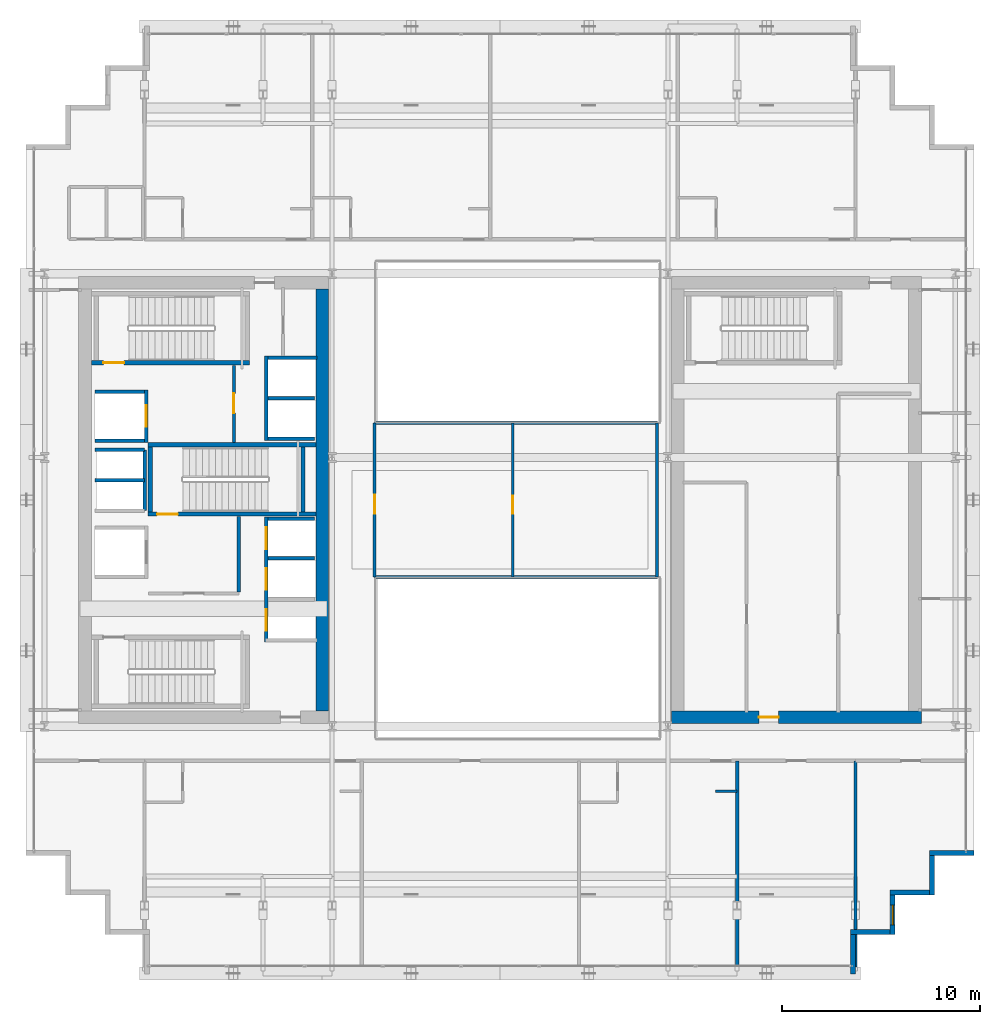
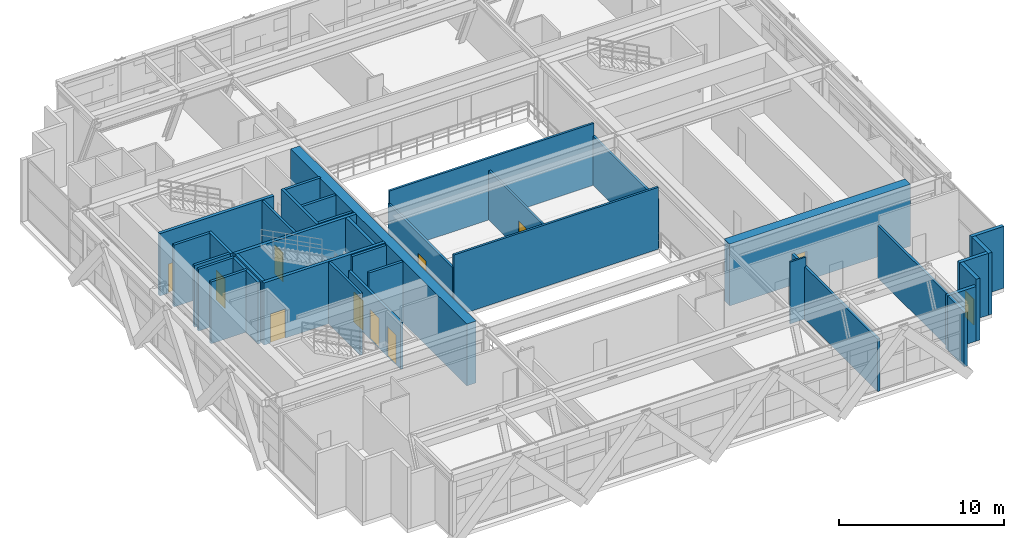
# One storey, part 29 of 35: 36 walls, 10 doors, 1 window, 11 openings.
"""IFC4 building model written with IfcOpenShell, lengths in metres."""

from ifc_helpers import new_model, si_unit, direction, frame, frame_2d, origin, place, context, subcontext, project, spatial, rectangle, extrude, source, transform, mapped, material, layer, layer_set, type_object, element, fill, save


model = new_model("IFC4")

# Units and contexts
model_context = context("Model", 3, precision=1e-05, world=origin(), true_north=direction((0.0, 1.0)))
body_context = subcontext(model_context, "Body", "Model", "MODEL_VIEW")
ifc_project = project(units=[si_unit("LENGTHUNIT", "METRE"), si_unit("AREAUNIT", "SQUARE_METRE"), si_unit("VOLUMEUNIT", "CUBIC_METRE"), si_unit("PLANEANGLEUNIT", "RADIAN"), si_unit("MASSUNIT", "GRAM", prefix="KILO")], contexts=[model_context])

# Site, building, storey
site_placement = place(None, origin())
site = spatial("IfcSite", under=ifc_project, at=site_placement, CompositionType="ELEMENT")
building_placement = place(site_placement, origin())
building = spatial("IfcBuilding", under=site, at=building_placement, Name="Ocotamira Hotel", CompositionType="ELEMENT")
storey_placement = place(building_placement, frame((0.0, 0.0, 158.39990234375)))
storey = spatial("IfcBuildingStorey", under=building, at=storey_placement, Name="L39", CompositionType="ELEMENT", Elevation=158.39990234375)

# Wall
ifc_material_1 = material(Name="Concrete C60/75", Category="concrete")
ifc_layer_1 = layer(ifc_material_1, 0.64990234375)
ifc_layer_set_1 = layer_set([ifc_layer_1], Name="Concrete C60/75")
wall_type_1 = type_object("IfcWallType", Name="WL-CORE-650", PredefinedType="SHEAR", material=ifc_layer_set_1)
wall_1_placement = place(storey_placement, frame((23.0, 15.324951171875, 0.0), z_axis=(0.0, 0.0, 1.0), x_axis=(0.0, 1.0, 0.0)))
element("IfcWall", 1, at=wall_1_placement, inside=storey, type_object=wall_type_1, Name="L39 Shear Core Wall WCORE-E", PredefinedType="SHEAR", context=body_context, shape_type="SweptSolid", body=[
    extrude(rectangle(XDim=21.35009765625, YDim=0.64990234375, at=frame_2d((10.675048828125, 0.0))), origin(), (0.0, 0.0, 1.0), 4.570068359375),
])

# Wall, opening, door
wall_2_placement = place(storey_placement, frame((40.675048828125, 15.0, 0.0), z_axis=(0.0, 0.0, 1.0), x_axis=(1.0, 0.0, 0.0)))
wall_2 = element("IfcWall", 2, at=wall_2_placement, inside=storey, type_object=wall_type_1, Name="L39 Shear Core Wall ECORE-S", PredefinedType="SHEAR", context=body_context, shape_type="SweptSolid", body=[
    extrude(rectangle(XDim=12.64990234375, YDim=0.64990234375, at=frame_2d((6.324951171875, 0.0))), origin(), (0.0, 0.0, 1.0), 4.570068359375),
])
opening_1_placement = place(wall_2_placement, frame((4.425048828125, 0.0, 0.0)))
opening_1 = element("IfcOpeningElement", 3, at=opening_1_placement, cuts=wall_2, Name="Opening D-FR2", PredefinedType="OPENING", context=body_context, shape_type="SweptSolid", body=[
    extrude(rectangle(XDim=1.0, YDim=2.14990234375, at=frame_2d((0.5, 1.074951171875))), frame((0.0, 0.3349609375, 0.0), z_axis=(0.0, -1.0, 0.0), x_axis=(1.0, 0.0, 0.0)), (0.0, 0.0, 1.0), 0.669921875),
])
ifc_material_2 = material(Name="Fire-rated acoustic timber-veneer door", Category="wood")
door_type_1 = type_object("IfcDoorType", Name="DR-FIRE-1000", OperationType="NOTDEFINED", PredefinedType="DOOR", material=ifc_material_2)
shared_shape_1 = source(origin(), body_context, "Body", "SweptSolid", [
    extrude(rectangle(XDim=1.0, YDim=2.14990234375, at=frame_2d((0.5, 1.074951171875))), frame((0.0, 0.02490234375, 0.0), z_axis=(0.0, -1.0, 0.0), x_axis=(1.0, 0.0, 0.0)), (0.0, 0.0, 1.0), 0.050048828125),
])
door_1_placement = place(opening_1_placement, origin())
door_1 = element("IfcDoor", 4, at=door_1_placement, inside=storey, type_object=door_type_1, Name="L39 Door ID-L39-ELOB-S-D [ID-L39-ELOB-S-D]", OperationType="SINGLE_SWING_RIGHT", OverallHeight=2.14990234375, OverallWidth=1.0, PredefinedType="DOOR", context=body_context, shape_type="MappedRepresentation", body=[
    mapped(shared_shape_1, transform((0.0, 0.0, 0.0), scale=1.0)),
])
fill(opening_1, door_1)

# Walls
ifc_material_3 = material(Name="Precast concrete C45/55", Category="concrete")
ifc_layer_2 = layer(ifc_material_3, 0.25)
ifc_layer_set_2 = layer_set([ifc_layer_2], Name="Precast concrete C45/55")
wall_type_2 = type_object("IfcWallType", Name="WL-EXT-SER-250", PredefinedType="SOLIDWALL", material=ifc_layer_set_2)
for number, where, z_axis, x_axis, name in (
    (5, (49.875, 2.0, 0.0), (0.0, 0.0, 1.0), (0.0, 1.0, 0.0), "L39 Serrated Corner Wall 01"),
    (6, (49.75, 4.125, 0.0), (0.0, 0.0, 1.0), (1.0, 0.0, 0.0), "L39 Serrated Corner Wall 02"),
):
    element("IfcWall", number, at=place(storey_placement, frame(where, z_axis=z_axis, x_axis=x_axis)), inside=storey, type_object=wall_type_2, Name=name, PredefinedType="SOLIDWALL", context=body_context, shape_type="SweptSolid", body=[
        extrude(rectangle(XDim=2.0, YDim=0.25, at=frame_2d((1.0, 0.0))), origin(), (0.0, 0.0, 1.0), 4.033203125),
    ])

# Wall, opening, window
wall_3_placement = place(storey_placement, frame((51.875, 4.0, 0.0), z_axis=(0.0, 0.0, 1.0), x_axis=(0.0, 1.0, 0.0)))
wall_3 = element("IfcWall", 7, at=wall_3_placement, inside=storey, type_object=wall_type_2, Name="L39 Serrated Corner Wall 03", PredefinedType="SOLIDWALL", context=body_context, shape_type="SweptSolid", body=[
    extrude(rectangle(XDim=2.0, YDim=0.25, at=frame_2d((1.0, 0.0))), origin(), (0.0, 0.0, 1.0), 4.570068359375),
])
opening_2_placement = place(wall_3_placement, frame((0.5, 0.0, 0.85009765625)))
opening_2 = element("IfcOpeningElement", 8, at=opening_2_placement, cuts=wall_3, Name="Opening WN-2", PredefinedType="OPENING", context=body_context, shape_type="SweptSolid", body=[
    extrude(rectangle(XDim=1.0, YDim=1.89990234375, at=frame_2d((0.5, 0.949951171875))), frame((0.0, 0.135009765625, 0.0), z_axis=(0.0, -1.0, 0.0), x_axis=(1.0, 0.0, 0.0)), (0.0, 0.0, 1.0), 0.27001953125),
])
ifc_material_4 = material(Name="Double-silver low-E solar glass", Category="glass")
window_type = type_object("IfcWindowType", Name="WIN-SER-1100", PartitioningType="SINGLE_PANEL", PredefinedType="WINDOW", material=ifc_material_4)
shared_shape_2 = source(origin(), body_context, "Body", "SweptSolid", [
    extrude(rectangle(XDim=1.0, YDim=1.89990234375, at=frame_2d((0.5, 0.949951171875))), frame((0.0, 0.030029296875, 0.0), z_axis=(0.0, -1.0, 0.0), x_axis=(1.0, 0.0, 0.0)), (0.0, 0.0, 1.0), 0.06005859375),
])
window_placement = place(opening_2_placement, origin())
window = element("IfcWindow", 9, at=window_placement, inside=storey, type_object=window_type, Name="L39 Serrated Corner Window 03", OverallHeight=1.89990234375, OverallWidth=1.0, PartitioningType="SINGLE_PANEL", PredefinedType="WINDOW", context=body_context, shape_type="MappedRepresentation", body=[
    mapped(shared_shape_2, transform((0.0, 0.0, 0.0), scale=1.0)),
])
fill(opening_2, window)

# Walls
for number, where, z_axis, x_axis, name in (
    (10, (51.75, 6.125, 0.0), (0.0, 0.0, 1.0), (1.0, 0.0, 0.0), "L39 Serrated Corner Wall 04"),
    (11, (53.875, 6.0, 0.0), (0.0, 0.0, 1.0), (0.0, 1.0, 0.0), "L39 Serrated Corner Wall 05"),
):
    element("IfcWall", number, at=place(storey_placement, frame(where, z_axis=z_axis, x_axis=x_axis)), inside=storey, type_object=wall_type_2, Name=name, PredefinedType="SOLIDWALL", context=body_context, shape_type="SweptSolid", body=[
        extrude(rectangle(XDim=2.0, YDim=0.25, at=frame_2d((1.0, 0.0))), origin(), (0.0, 0.0, 1.0), 4.570068359375),
    ])
wall_4_placement = place(storey_placement, frame((53.75, 8.125, 0.0), z_axis=(0.0, 0.0, 1.0), x_axis=(1.0, 0.0, 0.0)))
element("IfcWall", 12, at=wall_4_placement, inside=storey, type_object=wall_type_2, Name="L39 Serrated Corner Wall 06", PredefinedType="SOLIDWALL", context=body_context, shape_type="SweptSolid", body=[
    extrude(rectangle(XDim=2.25, YDim=0.25, at=frame_2d((1.125, 0.0))), origin(), (0.0, 0.0, 1.0), 4.570068359375),
])
ifc_material_5 = material(Name="Acoustic double-layer fire gypsum board partition", Category="gypsum")
ifc_layer_3 = layer(ifc_material_5, 0.159912109375)
ifc_layer_set_3 = layer_set([ifc_layer_3], Name="Acoustic double-layer fire gypsum board partition")
wall_type_3 = type_object("IfcWallType", Name="WL-FIRE-160", PredefinedType="PARTITIONING", material=ifc_layer_set_3)
wall_5_placement = place(storey_placement, frame((18.780029296875, 21.35009765625, 0.0), z_axis=(0.0, 0.0, 1.0), x_axis=(0.0, 1.0, 0.0)))
element("IfcWall", 13, at=wall_5_placement, inside=storey, type_object=wall_type_3, Name="L39 Interior Wall PW-L39-FSAE1-E", PredefinedType="PARTITIONING", context=body_context, shape_type="SweptSolid", body=[
    extrude(rectangle(XDim=3.809814453125, YDim=0.159912109375, at=frame_2d((1.90478515625, 0.0))), origin(), (0.0, 0.0, 1.0), 4.570068359375),
])

# Wall, opening, door
wall_6_placement = place(storey_placement, frame((18.530029296875, 28.89990234375, 0.0), z_axis=(0.0, 0.0, 1.0), x_axis=(0.0, 1.0, 0.0)))
wall_6 = element("IfcWall", 14, at=wall_6_placement, inside=storey, type_object=wall_type_3, Name="L39 Interior Wall PW-L39-FSAE2-E", PredefinedType="PARTITIONING", context=body_context, shape_type="SweptSolid", body=[
    extrude(rectangle(XDim=3.900146484375, YDim=0.159912109375, at=frame_2d((1.9501953125, 0.0))), origin(), (0.0, 0.0, 1.0), 4.570068359375),
])
opening_3_placement = place(wall_6_placement, frame((1.5, 0.0, 0.0)))
opening_3 = element("IfcOpeningElement", 15, at=opening_3_placement, cuts=wall_6, Name="Opening D-FR2", PredefinedType="OPENING", context=body_context, shape_type="SweptSolid", body=[
    extrude(rectangle(XDim=1.0, YDim=2.14990234375, at=frame_2d((0.5, 1.074951171875))), frame((0.0, 0.08984375, 0.0), z_axis=(0.0, -1.0, 0.0), x_axis=(1.0, 0.0, 0.0)), (0.0, 0.0, 1.0), 0.179931640625),
])
door_2_placement = place(opening_3_placement, origin())
door_2 = element("IfcDoor", 16, at=door_2_placement, inside=storey, type_object=door_type_1, Name="L39 Door ID-L39-FSAE2-D [ID-L39-FSAE2-D]", OperationType="SINGLE_SWING_RIGHT", OverallHeight=2.14990234375, OverallWidth=1.0, PredefinedType="DOOR", context=body_context, shape_type="MappedRepresentation", body=[
    mapped(shared_shape_1, transform((0.0, 0.0, 0.0), scale=1.0)),
])
fill(opening_3, door_2)

# Wall
ifc_material_6 = material(Name="Moisture-resistant en-suite tile and gypsum partition", Category="gypsum")
ifc_layer_4 = layer(ifc_material_6, 0.1201171875)
ifc_layer_set_4 = layer_set([ifc_layer_4], Name="Moisture-resistant en-suite tile and gypsum partition")
wall_type_4 = type_object("IfcWallType", Name="WL-PART-120", PredefinedType="PARTITIONING", material=ifc_layer_set_4)
wall_7_placement = place(storey_placement, frame((42.89990234375, 11.25, 0.0), z_axis=(0.0, 0.0, 1.0), x_axis=(1.0, 0.0, 0.0)))
element("IfcWall", 17, at=wall_7_placement, inside=storey, type_object=wall_type_4, Name="L39 Interior Wall PW-L39-L39S-DRN3", PredefinedType="PARTITIONING", context=body_context, shape_type="SweptSolid", body=[
    extrude(rectangle(XDim=1.10009765625, YDim=0.1201171875, at=frame_2d((0.550048828125, 0.0))), origin(), (0.0, 0.0, 1.0), 4.570068359375),
])

# Wall, opening, door
ifc_material_7 = material(Name="Acoustic hospitality gypsum board partition", Category="gypsum")
ifc_layer_5 = layer(ifc_material_7, 0.14208984375)
ifc_layer_set_5 = layer_set([ifc_layer_5], Name="Acoustic hospitality gypsum board partition")
wall_type_5 = type_object("IfcWallType", Name="WL-PART-142", PredefinedType="PARTITIONING", material=ifc_layer_set_5)
wall_8_placement = place(storey_placement, frame((32.64990234375, 22.10009765625, 0.0), z_axis=(0.0, 0.0, 1.0), x_axis=(0.0, 1.0, 0.0)))
wall_8 = element("IfcWall", 18, at=wall_8_placement, inside=storey, type_object=wall_type_5, Name="L39 Interior Wall PW-L39-SKY39-BRDIV", PredefinedType="PARTITIONING", context=body_context, shape_type="SweptSolid", body=[
    extrude(rectangle(XDim=7.7998046875, YDim=0.14208984375, at=frame_2d((3.89990234375, 0.0))), origin(), (0.0, 0.0, 1.0), 3.64306640625),
])
opening_4_placement = place(wall_8_placement, frame((3.199951171875, 0.0, 0.0)))
opening_4 = element("IfcOpeningElement", 19, at=opening_4_placement, cuts=wall_8, Name="Opening D-SV3", PredefinedType="OPENING", context=body_context, shape_type="SweptSolid", body=[
    extrude(rectangle(XDim=0.919921875, YDim=2.14990234375, at=frame_2d((0.4599609375, 1.074951171875))), frame((0.0, 0.0810546875, 0.0), z_axis=(0.0, -1.0, 0.0), x_axis=(1.0, 0.0, 0.0)), (0.0, 0.0, 1.0), 0.162109375),
])
ifc_material_8 = material(Name="Fire-rated walnut hospitality door", Category="wood")
door_type_2 = type_object("IfcDoorType", Name="DR-SERV-920", OperationType="NOTDEFINED", PredefinedType="DOOR", material=ifc_material_8)
shared_shape_3 = source(origin(), body_context, "Body", "SweptSolid", [
    extrude(rectangle(XDim=0.919921875, YDim=2.14990234375, at=frame_2d((0.4599609375, 1.074951171875))), frame((0.0, 0.02490234375, 0.0), z_axis=(0.0, -1.0, 0.0), x_axis=(1.0, 0.0, 0.0)), (0.0, 0.0, 1.0), 0.050048828125),
])
door_3_placement = place(opening_4_placement, origin())
door_3 = element("IfcDoor", 20, at=door_3_placement, inside=storey, type_object=door_type_2, Name="L39 Door ID-L39-L39-BRD2 [ID-L39-L39-BRD2]", OperationType="SINGLE_SWING_LEFT", OverallHeight=2.14990234375, OverallWidth=0.919921875, PredefinedType="DOOR", context=body_context, shape_type="MappedRepresentation", body=[
    mapped(shared_shape_3, transform((0.0, 0.0, 0.0), scale=1.0)),
])
fill(opening_4, door_3)

ifc_layer_6 = layer(ifc_material_7, 0.14990234375)
ifc_layer_set_6 = layer_set([ifc_layer_6], Name="Acoustic hospitality gypsum board partition")
wall_type_6 = type_object("IfcWallType", Name="WL-PART-150", PredefinedType="PARTITIONING", material=ifc_layer_set_6)
wall_9_placement = place(storey_placement, frame((25.64990234375, 22.10009765625, 0.0), z_axis=(0.0, 0.0, 1.0), x_axis=(0.0, 1.0, 0.0)))
wall_9 = element("IfcWall", 21, at=wall_9_placement, inside=storey, type_object=wall_type_6, Name="L39 Interior Wall PW-L39-L39-BRW", PredefinedType="PARTITIONING", context=body_context, shape_type="SweptSolid", body=[
    extrude(rectangle(XDim=7.7998046875, YDim=0.14990234375, at=frame_2d((3.89990234375, 0.0))), origin(), (0.0, 0.0, 1.0), 3.64306640625),
])
opening_5_placement = place(wall_9_placement, frame((3.199951171875, 0.0, 0.0)))
opening_5 = element("IfcOpeningElement", 22, at=opening_5_placement, cuts=wall_9, Name="Opening D-SV4", PredefinedType="OPENING", context=body_context, shape_type="SweptSolid", body=[
    extrude(rectangle(XDim=0.9599609375, YDim=2.14990234375, at=frame_2d((0.47998046875, 1.074951171875))), frame((0.0, 0.0849609375, 0.0), z_axis=(0.0, -1.0, 0.0), x_axis=(1.0, 0.0, 0.0)), (0.0, 0.0, 1.0), 0.169921875),
])
ifc_material_9 = material(Name="Fire-rated accessible walnut salon door", Category="wood")
door_type_3 = type_object("IfcDoorType", Name="DR-SERV-960", OperationType="NOTDEFINED", PredefinedType="DOOR", material=ifc_material_9)
shared_shape_4 = source(origin(), body_context, "Body", "SweptSolid", [
    extrude(rectangle(XDim=0.9599609375, YDim=2.14990234375, at=frame_2d((0.47998046875, 1.074951171875))), frame((0.0, 0.02490234375, 0.0), z_axis=(0.0, -1.0, 0.0), x_axis=(1.0, 0.0, 0.0)), (0.0, 0.0, 1.0), 0.050048828125),
])
door_4_placement = place(opening_5_placement, origin())
door_4 = element("IfcDoor", 23, at=door_4_placement, inside=storey, type_object=door_type_3, Name="L39 Door ID-L39-L39-BRD1 [ID-L39-L39-BRD1]", OperationType="SINGLE_SWING_RIGHT", OverallHeight=2.14990234375, OverallWidth=0.9599609375, PredefinedType="DOOR", context=body_context, shape_type="MappedRepresentation", body=[
    mapped(shared_shape_4, transform((0.0, 0.0, 0.0), scale=1.0)),
])
fill(opening_5, door_4)

# Walls
for number, where, z_axis, x_axis, name in (
    (24, (25.64990234375, 22.10009765625, 0.0), (0.0, 0.0, 1.0), (1.0, 0.0, 0.0), "L39 Interior Wall PW-L39-L39-BRS"),
    (25, (25.64990234375, 29.89990234375, 0.0), (0.0, 0.0, 1.0), (1.0, 0.0, 0.0), "L39 Interior Wall PW-L39-L39-BRN"),
):
    element("IfcWall", number, at=place(storey_placement, frame(where, z_axis=z_axis, x_axis=x_axis)), inside=storey, type_object=wall_type_6, Name=name, PredefinedType="PARTITIONING", context=body_context, shape_type="SweptSolid", body=[
        extrude(rectangle(XDim=14.300048828125, YDim=0.14990234375, at=frame_2d((7.14990234375, 0.0))), origin(), (0.0, 0.0, 1.0), 4.570068359375),
    ])
wall_10_placement = place(storey_placement, frame((39.949951171875, 22.10009765625, 0.0), z_axis=(0.0, 0.0, 1.0), x_axis=(0.0, 1.0, 0.0)))
element("IfcWall", 26, at=wall_10_placement, inside=storey, type_object=wall_type_6, Name="L39 Interior Wall PW-L39-L39-BRE", PredefinedType="PARTITIONING", context=body_context, shape_type="SweptSolid", body=[
    extrude(rectangle(XDim=7.7998046875, YDim=0.14990234375, at=frame_2d((3.89990234375, 0.0))), origin(), (0.0, 0.0, 1.0), 3.64306640625),
])
ifc_material_10 = material(Name="Acoustic double-stud hospitality gypsum partition", Category="gypsum")
ifc_layer_7 = layer(ifc_material_10, 0.159912109375)
ifc_layer_set_7 = layer_set([ifc_layer_7], Name="Acoustic double-stud hospitality gypsum partition")
wall_type_7 = type_object("IfcWallType", Name="WL-PART-160", PredefinedType="PARTITIONING", material=ifc_layer_set_7)
wall_11_placement = place(storey_placement, frame((50.0, 2.360107421875, 0.0), z_axis=(0.0, 0.0, 1.0), x_axis=(0.0, 1.0, 0.0)))
element("IfcWall", 27, at=wall_11_placement, inside=storey, type_object=wall_type_7, Name="L39 Interior Wall PW-L39-L39S-PWEND", PredefinedType="PARTITIONING", context=body_context, shape_type="SweptSolid", body=[
    extrude(rectangle(XDim=10.43994140625, YDim=0.159912109375, at=frame_2d((5.219970703125, 0.0))), origin(), (0.0, 0.0, 1.0), 3.877197265625),
])
ifc_material_11 = material(Name="Double-stud suite party gypsum partition", Category="gypsum")
ifc_layer_8 = layer(ifc_material_11, 0.175048828125)
ifc_layer_set_8 = layer_set([ifc_layer_8], Name="Double-stud suite party gypsum partition")
wall_type_8 = type_object("IfcWallType", Name="WL-PART-175", PredefinedType="PARTITIONING", material=ifc_layer_set_8)
wall_12_placement = place(storey_placement, frame((44.0, 2.360107421875, 0.0), z_axis=(0.0, 0.0, 1.0), x_axis=(0.0, 1.0, 0.0)))
element("IfcWall", 28, at=wall_12_placement, inside=storey, type_object=wall_type_8, Name="L39 Interior Wall PW-L39-L39S-PW3", PredefinedType="PARTITIONING", context=body_context, shape_type="SweptSolid", body=[
    extrude(rectangle(XDim=10.43994140625, YDim=0.175048828125, at=frame_2d((5.219970703125, 0.0))), origin(), (0.0, 0.0, 1.0), 3.877197265625),
])

# Wall, openings, doors
ifc_material_12 = material(Name="Fire-rated gypsum shaftliner board assembly", Category="gypsum")
ifc_layer_9 = layer(ifc_material_12, 0.179931640625)
ifc_layer_set_9 = layer_set([ifc_layer_9], Name="Fire-rated gypsum shaftliner board assembly")
wall_type_9 = type_object("IfcWallType", Name="WL-SHAFT-180", PredefinedType="SOLIDWALL", material=ifc_layer_set_9)
wall_13_placement = place(storey_placement, frame((20.159912109375, 18.820068359375, 0.0), z_axis=(0.0, 0.0, 1.0), x_axis=(0.0, 1.0, 0.0)))
wall_13 = element("IfcWall", 29, at=wall_13_placement, inside=storey, type_object=wall_type_9, Name="L39 Interior Wall PW-L39-LFW-BANK-high-F", PredefinedType="SOLIDWALL", context=body_context, shape_type="SweptSolid", body=[
    extrude(rectangle(XDim=6.31982421875, YDim=0.179931640625, at=frame_2d((3.159912109375, 0.0))), origin(), (0.0, 0.0, 1.0), 3.47021484375),
])
opening_6_placement = place(wall_13_placement, frame((0.554931640625, 0.0, 0.0)))
opening_6 = element("IfcOpeningElement", 30, at=opening_6_placement, cuts=wall_13, Name="Opening LD-LF-P7", PredefinedType="OPENING", context=body_context, shape_type="SweptSolid", body=[
    extrude(rectangle(XDim=1.10009765625, YDim=2.199951171875, at=frame_2d((0.550048828125, 1.10009765625))), frame((0.0, 0.10009765625, 0.0), z_axis=(0.0, -1.0, 0.0), x_axis=(1.0, 0.0, 0.0)), (0.0, 0.0, 1.0), 0.199951171875),
])
opening_7_placement = place(wall_13_placement, frame((2.635009765625, 0.0, 0.0)))
opening_7 = element("IfcOpeningElement", 31, at=opening_7_placement, cuts=wall_13, Name="Opening LD-LF-P8", PredefinedType="OPENING", context=body_context, shape_type="SweptSolid", body=[
    extrude(rectangle(XDim=1.10009765625, YDim=2.199951171875, at=frame_2d((0.550048828125, 1.10009765625))), frame((0.0, 0.10009765625, 0.0), z_axis=(0.0, -1.0, 0.0), x_axis=(1.0, 0.0, 0.0)), (0.0, 0.0, 1.0), 0.199951171875),
])
opening_8_placement = place(wall_13_placement, frame((4.68994140625, 0.0, 0.0)))
opening_8 = element("IfcOpeningElement", 32, at=opening_8_placement, cuts=wall_13, Name="Opening LD-LF-P9", PredefinedType="OPENING", context=body_context, shape_type="SweptSolid", body=[
    extrude(rectangle(XDim=1.10009765625, YDim=2.199951171875, at=frame_2d((0.550048828125, 1.10009765625))), frame((0.0, 0.10009765625, 0.0), z_axis=(0.0, -1.0, 0.0), x_axis=(1.0, 0.0, 0.0)), (0.0, 0.0, 1.0), 0.199951171875),
])
ifc_material_13 = material(Name="Brushed pale-metal stainless elevator landing door", Category="steel")
door_type_4 = type_object("IfcDoorType", Name="DR-LIFT-1100", OperationType="NOTDEFINED", PredefinedType="DOOR", material=ifc_material_13)
shared_shape_5 = source(origin(), body_context, "Body", "SweptSolid", [
    extrude(rectangle(XDim=1.10009765625, YDim=2.199951171875, at=frame_2d((0.550048828125, 1.10009765625))), frame((0.0, 0.02490234375, 0.0), z_axis=(0.0, -1.0, 0.0), x_axis=(1.0, 0.0, 0.0)), (0.0, 0.0, 1.0), 0.050048828125),
])
door_5_placement = place(opening_6_placement, origin())
door_5 = element("IfcDoor", 33, at=door_5_placement, inside=storey, type_object=door_type_4, Name="L39 Landing Door LD-LF-P7 [ID-L39-LD-LF-P7]", OperationType="DOUBLE_DOOR_SLIDING", OverallHeight=2.199951171875, OverallWidth=1.10009765625, PredefinedType="DOOR", context=body_context, shape_type="MappedRepresentation", body=[
    mapped(shared_shape_5, transform((0.0, 0.0, 0.0), scale=1.0)),
])
fill(opening_6, door_5)
door_6_placement = place(opening_7_placement, origin())
door_6 = element("IfcDoor", 34, at=door_6_placement, inside=storey, type_object=door_type_4, Name="L39 Landing Door LD-LF-P8 [ID-L39-LD-LF-P8]", OperationType="DOUBLE_DOOR_SLIDING", OverallHeight=2.199951171875, OverallWidth=1.10009765625, PredefinedType="DOOR", context=body_context, shape_type="MappedRepresentation", body=[
    mapped(shared_shape_5, transform((0.0, 0.0, 0.0), scale=1.0)),
])
fill(opening_7, door_6)
door_7_placement = place(opening_8_placement, origin())
door_7 = element("IfcDoor", 35, at=door_7_placement, inside=storey, type_object=door_type_4, Name="L39 Landing Door LD-LF-P9 [ID-L39-LD-LF-P9]", OperationType="DOUBLE_DOOR_SLIDING", OverallHeight=2.199951171875, OverallWidth=1.10009765625, PredefinedType="DOOR", context=body_context, shape_type="MappedRepresentation", body=[
    mapped(shared_shape_5, transform((0.0, 0.0, 0.0), scale=1.0)),
])
fill(opening_8, door_7)

# Walls
for number, where, z_axis, x_axis, name in (
    (36, (20.25, 25.050048828125, 0.0), (0.0, 0.0, 1.0), (1.0, 0.0, 0.0), "L39 Interior Wall PW-L39-LFW-BANK-high-N"),
    (37, (20.25, 23.044921875, 0.0), (0.0, 0.0, 1.0), (1.0, 0.0, 0.0), "L39 Interior Wall PW-L39-LFW-DIV-LF-P8"),
):
    element("IfcWall", number, at=place(storey_placement, frame(where, z_axis=z_axis, x_axis=x_axis)), inside=storey, type_object=wall_type_9, Name=name, PredefinedType="SOLIDWALL", context=body_context, shape_type="SweptSolid", body=[
        extrude(rectangle(XDim=2.360107421875, YDim=0.179931640625, at=frame_2d((1.18017578125, 0.0))), origin(), (0.0, 0.0, 1.0), 4.570068359375),
    ])
wall_14_placement = place(storey_placement, frame((20.159912109375, 29.0, 0.0), z_axis=(0.0, 0.0, 1.0), x_axis=(0.0, 1.0, 0.0)))
element("IfcWall", 38, at=wall_14_placement, inside=storey, type_object=wall_type_9, Name="L39 Interior Wall PW-L39-LFW-BANK-obs-F", PredefinedType="SOLIDWALL", context=body_context, shape_type="SweptSolid", body=[
    extrude(rectangle(XDim=4.2900390625, YDim=0.179931640625, at=frame_2d((2.14501953125, 0.0))), origin(), (0.0, 0.0, 1.0), 4.570068359375),
])
wall_15_placement = place(storey_placement, frame((20.25, 29.090087890625, 0.0), z_axis=(0.0, 0.0, 1.0), x_axis=(1.0, 0.0, 0.0)))
element("IfcWall", 39, at=wall_15_placement, inside=storey, type_object=wall_type_9, Name="L39 Interior Wall PW-L39-LFW-BANK-obs-S", PredefinedType="SOLIDWALL", context=body_context, shape_type="SweptSolid", body=[
    extrude(rectangle(XDim=2.360107421875, YDim=0.179931640625, at=frame_2d((1.18017578125, 0.0))), origin(), (0.0, 0.0, 1.0), 4.570068359375),
])
wall_16_placement = place(storey_placement, frame((20.25, 33.199951171875, 0.0), z_axis=(0.0, 0.0, 1.0), x_axis=(1.0, 0.0, 0.0)))
element("IfcWall", 40, at=wall_16_placement, inside=storey, type_object=wall_type_9, Name="L39 Interior Wall PW-L39-LFW-BANK-obs-N", PredefinedType="SOLIDWALL", context=body_context, shape_type="SweptSolid", body=[
    extrude(rectangle(XDim=2.5, YDim=0.179931640625, at=frame_2d((1.25, 0.0))), origin(), (0.0, 0.0, 1.0), 4.570068359375),
])
wall_17_placement = place(storey_placement, frame((20.25, 31.14501953125, 0.0), z_axis=(0.0, 0.0, 1.0), x_axis=(1.0, 0.0, 0.0)))
element("IfcWall", 41, at=wall_17_placement, inside=storey, type_object=wall_type_9, Name="L39 Interior Wall PW-L39-LFW-DIV-LF-OBS1", PredefinedType="SOLIDWALL", context=body_context, shape_type="SweptSolid", body=[
    extrude(rectangle(XDim=2.360107421875, YDim=0.179931640625, at=frame_2d((1.18017578125, 0.0))), origin(), (0.0, 0.0, 1.0), 4.570068359375),
])
for number, where, z_axis, x_axis, name in (
    (42, (11.5, 29.010009765625, 0.0), (0.0, 0.0, 1.0), (1.0, 0.0, 0.0), "L39 Interior Wall PW-L39-LFW-LF-FSAE2-S"),
    (43, (11.5, 31.489990234375, 0.0), (0.0, 0.0, 1.0), (1.0, 0.0, 0.0), "L39 Interior Wall PW-L39-LFW-LF-FSAE2-N"),
):
    element("IfcWall", number, at=place(storey_placement, frame(where, z_axis=z_axis, x_axis=x_axis)), inside=storey, type_object=wall_type_9, Name=name, PredefinedType="SOLIDWALL", context=body_context, shape_type="SweptSolid", body=[
        extrude(rectangle(XDim=2.5, YDim=0.179931640625, at=frame_2d((1.25, 0.0))), origin(), (0.0, 0.0, 1.0), 4.570068359375),
    ])

# Wall, opening, door
wall_18_placement = place(storey_placement, frame((14.090087890625, 28.919921875, 0.0), z_axis=(0.0, 0.0, 1.0), x_axis=(0.0, 1.0, 0.0)))
wall_18 = element("IfcWall", 44, at=wall_18_placement, inside=storey, type_object=wall_type_9, Name="L39 Interior Wall PW-L39-LFW-LF-FSAE2-E", PredefinedType="SOLIDWALL", context=body_context, shape_type="SweptSolid", body=[
    extrude(rectangle(XDim=2.66015625, YDim=0.179931640625, at=frame_2d((1.330078125, 0.0))), origin(), (0.0, 0.0, 1.0), 4.570068359375),
])
opening_9_placement = place(wall_18_placement, frame((0.780029296875, 0.0, 0.0)))
opening_9 = element("IfcOpeningElement", 45, at=opening_9_placement, cuts=wall_18, Name="Opening LD-LF-FSAE2", PredefinedType="OPENING", context=body_context, shape_type="SweptSolid", body=[
    extrude(rectangle(XDim=1.10009765625, YDim=2.199951171875, at=frame_2d((0.550048828125, 1.10009765625))), frame((0.0, 0.10009765625, 0.0), z_axis=(0.0, -1.0, 0.0), x_axis=(1.0, 0.0, 0.0)), (0.0, 0.0, 1.0), 0.199951171875),
])
door_8_placement = place(opening_9_placement, origin())
door_8 = element("IfcDoor", 46, at=door_8_placement, inside=storey, type_object=door_type_4, Name="L39 Landing Door LD-LF-FSAE2 [ID-L39-LD-LF-FSAE2]", OperationType="DOUBLE_DOOR_SLIDING", OverallHeight=2.199951171875, OverallWidth=1.10009765625, PredefinedType="DOOR", context=body_context, shape_type="MappedRepresentation", body=[
    mapped(shared_shape_5, transform((0.0, 0.0, 0.0), scale=1.0)),
])
fill(opening_9, door_8)

# Walls
for number, where, z_axis, x_axis, name in (
    (47, (11.5, 27.0, 0.0), (0.0, 0.0, 1.0), (1.0, 0.0, 0.0), "L39 Interior Wall PW-L39-RSW-MID"),
    (48, (11.5, 28.5400390625, 0.0), (0.0, 0.0, 1.0), (1.0, 0.0, 0.0), "L39 Interior Wall PW-L39-RSW-N"),
):
    element("IfcWall", number, at=place(storey_placement, frame(where, z_axis=z_axis, x_axis=x_axis)), inside=storey, type_object=wall_type_9, Name=name, PredefinedType="SOLIDWALL", context=body_context, shape_type="SweptSolid", body=[
        extrude(rectangle(XDim=2.510009765625, YDim=0.179931640625, at=frame_2d((1.2548828125, 0.0))), origin(), (0.0, 0.0, 1.0), 4.570068359375),
    ])
wall_19_placement = place(storey_placement, frame((14.010009765625, 25.4599609375, 0.0), z_axis=(0.0, 0.0, 1.0), x_axis=(0.0, 1.0, 0.0)))
element("IfcWall", 49, at=wall_19_placement, inside=storey, type_object=wall_type_9, Name="L39 Interior Wall PW-L39-RSW-E", PredefinedType="SOLIDWALL", context=body_context, shape_type="SweptSolid", body=[
    extrude(rectangle(XDim=3.080078125, YDim=0.179931640625, at=frame_2d((1.5400390625, 0.0))), origin(), (0.0, 0.0, 1.0), 4.570068359375),
])

# Wall, opening, door
ifc_material_14 = material(Name="Concrete C50/60", Category="concrete")
ifc_layer_10 = layer(ifc_material_14, 0.219970703125)
ifc_layer_set_10 = layer_set([ifc_layer_10], Name="Concrete C50/60")
wall_type_10 = type_object("IfcWallType", Name="WL-STAIR-220", PredefinedType="SHEAR", material=ifc_layer_set_10)
wall_20_placement = place(storey_placement, frame((11.324951171875, 32.93994140625, 0.0), z_axis=(0.0, 0.0, 1.0), x_axis=(1.0, 0.0, 0.0)))
wall_20 = element("IfcWall", 50, at=wall_20_placement, inside=storey, type_object=wall_type_10, Name="L39 Stair Shaft Structural Wall ST-2-S", PredefinedType="SHEAR", context=body_context, shape_type="SweptSolid", body=[
    extrude(rectangle(XDim=7.985107421875, YDim=0.219970703125, at=frame_2d((3.99267578125, 0.0))), origin(), (0.0, 0.0, 1.0), 4.60009765625),
])
opening_10_placement = place(wall_20_placement, frame((0.594970703125, 0.0, 0.0)))
opening_10 = element("IfcOpeningElement", 51, at=opening_10_placement, cuts=wall_20, Name="Opening D-ST2", PredefinedType="OPENING", context=body_context, shape_type="SweptSolid", body=[
    extrude(rectangle(XDim=1.050048828125, YDim=2.14990234375, at=frame_2d((0.52490234375, 1.074951171875))), frame((0.0, 0.1201171875, 0.0), z_axis=(0.0, -1.0, 0.0), x_axis=(1.0, 0.0, 0.0)), (0.0, 0.0, 1.0), 0.239990234375),
])
ifc_material_15 = material(Name="Insulated painted hollow-metal fire exit door", Category="steel")
door_type_5 = type_object("IfcDoorType", Name="DR-STAIR-1050", OperationType="NOTDEFINED", PredefinedType="DOOR", material=ifc_material_15)
shared_shape_6 = source(origin(), body_context, "Body", "SweptSolid", [
    extrude(rectangle(XDim=1.050048828125, YDim=2.14990234375, at=frame_2d((0.52490234375, 1.074951171875))), frame((0.0, 0.02490234375, 0.0), z_axis=(0.0, -1.0, 0.0), x_axis=(1.0, 0.0, 0.0)), (0.0, 0.0, 1.0), 0.050048828125),
])
door_9_placement = place(opening_10_placement, origin())
door_9 = element("IfcDoor", 52, at=door_9_placement, inside=storey, type_object=door_type_5, Name="L39 Door ID-L39-STD-ST-2 [ID-L39-STD-ST-2]", OperationType="SINGLE_SWING_LEFT", OverallHeight=2.14990234375, OverallWidth=1.050048828125, PredefinedType="DOOR", context=body_context, shape_type="MappedRepresentation", body=[
    mapped(shared_shape_6, transform((0.0, 0.0, 0.0), scale=1.0)),
])
fill(opening_10, door_9)

wall_21_placement = place(storey_placement, frame((14.179931640625, 25.2900390625, 0.0), z_axis=(0.0, 0.0, 1.0), x_axis=(1.0, 0.0, 0.0)))
wall_21 = element("IfcWall", 53, at=wall_21_placement, inside=storey, type_object=wall_type_10, Name="L39 Stair Shaft Structural Wall ST-3-S", PredefinedType="SHEAR", context=body_context, shape_type="SweptSolid", body=[
    extrude(rectangle(XDim=8.4951171875, YDim=0.219970703125, at=frame_2d((4.24755859375, 0.0))), origin(), (0.0, 0.0, 1.0), 4.60009765625),
])
opening_11_placement = place(wall_21_placement, frame((0.469970703125, 0.0, 0.0)))
opening_11 = element("IfcOpeningElement", 54, at=opening_11_placement, cuts=wall_21, Name="Opening D-ST2", PredefinedType="OPENING", context=body_context, shape_type="SweptSolid", body=[
    extrude(rectangle(XDim=1.050048828125, YDim=2.14990234375, at=frame_2d((0.52490234375, 1.074951171875))), frame((0.0, 0.1201171875, 0.0), z_axis=(0.0, -1.0, 0.0), x_axis=(1.0, 0.0, 0.0)), (0.0, 0.0, 1.0), 0.239990234375),
])
door_10_placement = place(opening_11_placement, origin())
door_10 = element("IfcDoor", 55, at=door_10_placement, inside=storey, type_object=door_type_5, Name="L39 Door ID-L39-STD-ST-3 [ID-L39-STD-ST-3]", OperationType="SINGLE_SWING_RIGHT", OverallHeight=2.14990234375, OverallWidth=1.050048828125, PredefinedType="DOOR", context=body_context, shape_type="MappedRepresentation", body=[
    mapped(shared_shape_6, transform((0.0, 0.0, 0.0), scale=1.0)),
])
fill(opening_11, door_10)

# Walls
wall_22_placement = place(storey_placement, frame((14.179931640625, 28.7900390625, 0.0), z_axis=(0.0, 0.0, 1.0), x_axis=(1.0, 0.0, 0.0)))
element("IfcWall", 56, at=wall_22_placement, inside=storey, type_object=wall_type_10, Name="L39 Stair Shaft Structural Wall ST-3-N", PredefinedType="SHEAR", context=body_context, shape_type="SweptSolid", body=[
    extrude(rectangle(XDim=8.4951171875, YDim=0.219970703125, at=frame_2d((4.24755859375, 0.0))), origin(), (0.0, 0.0, 1.0), 4.60009765625),
])
for number, where, z_axis, x_axis, name in (
    (57, (14.2900390625, 25.39990234375, 0.0), (0.0, 0.0, 1.0), (0.0, 1.0, 0.0), "L39 Stair Shaft Structural Wall ST-3-W"),
    (58, (22.030029296875, 25.39990234375, 0.0), (0.0, 0.0, 1.0), (0.0, 1.0, 0.0), "L39 Stair Shaft Structural Wall ST-3-E"),
):
    element("IfcWall", number, at=place(storey_placement, frame(where, z_axis=z_axis, x_axis=x_axis)), inside=storey, type_object=wall_type_10, Name=name, PredefinedType="SHEAR", context=body_context, shape_type="SweptSolid", body=[
        extrude(rectangle(XDim=3.280029296875, YDim=0.219970703125, at=frame_2d((1.64013671875, 0.0))), origin(), (0.0, 0.0, 1.0), 4.60009765625),
    ])

save(model, "model.ifc")
